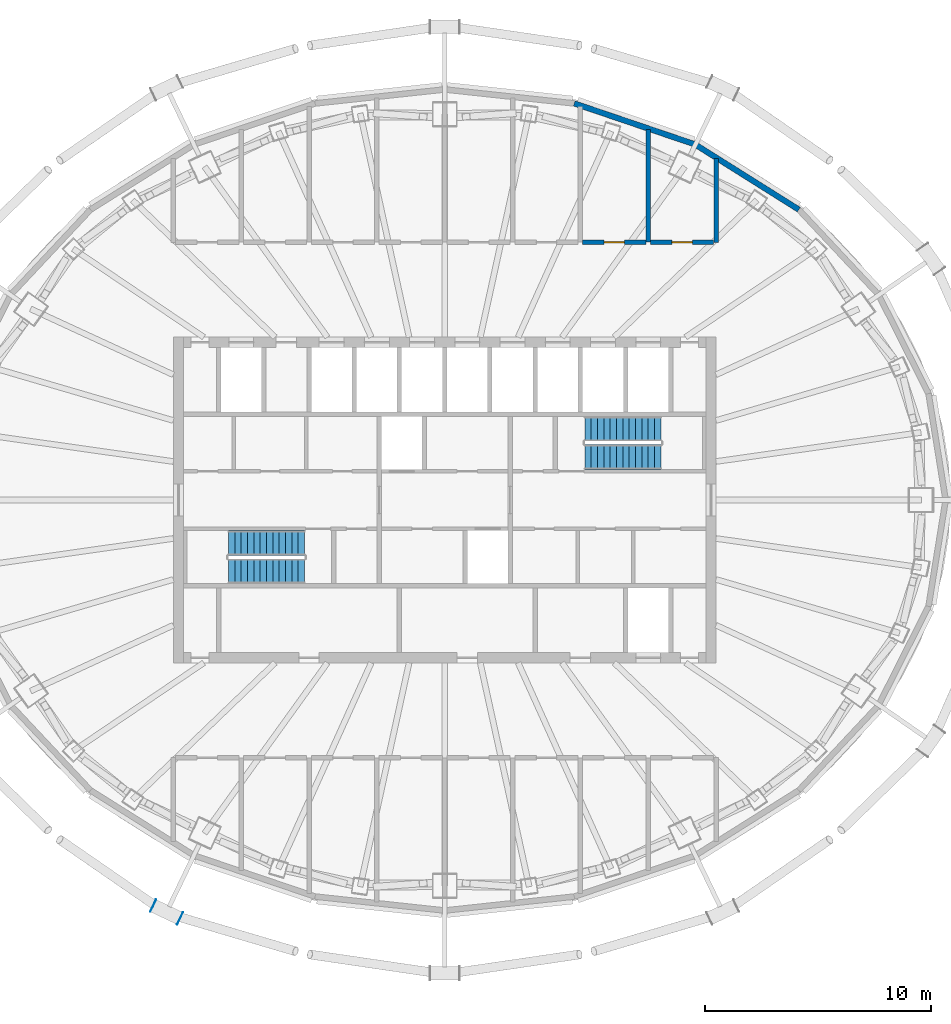
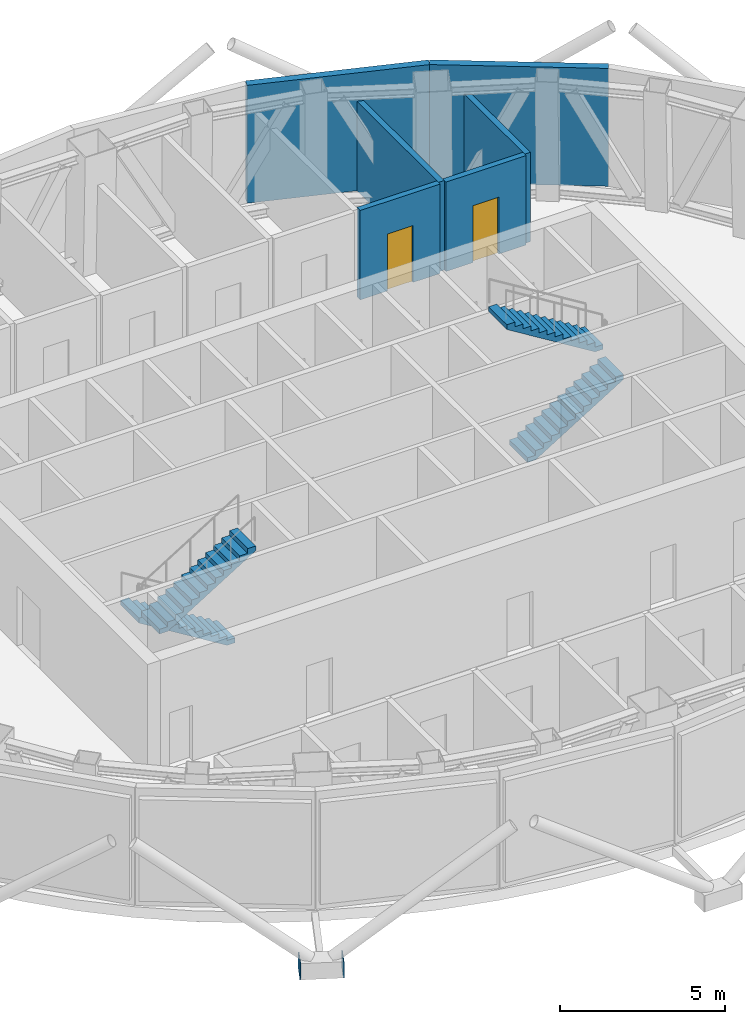
# One storey, part 8 of 15: 6 walls, 4 stair flights, 2 discrete accessories, 2 doors, 2 openings, 2 elements without a shape of their own.
"""IFC4 building model written with IfcOpenShell, lengths in metres."""

from ifc_helpers import new_model, si_unit, direction, frame, frame_2d, origin, origin_2d, place, context, subcontext, project, spatial, polyline, rectangle, outline, extrude, material, layer, layer_set, type_object, element, fill, aggregate, save


model = new_model("IFC4")

# Units and contexts
model_context = context("Model", 3, precision=1e-05, world=origin(), true_north=direction((0.0, 1.0)))
body_context = subcontext(model_context, "Body", "Model", "MODEL_VIEW")
ifc_project = project(units=[si_unit("LENGTHUNIT", "METRE"), si_unit("AREAUNIT", "SQUARE_METRE"), si_unit("VOLUMEUNIT", "CUBIC_METRE"), si_unit("PLANEANGLEUNIT", "RADIAN"), si_unit("MASSUNIT", "GRAM", prefix="KILO")], contexts=[model_context])

# Site, building, storey
site_placement = place(None, origin())
site = spatial("IfcSite", under=ifc_project, at=site_placement, CompositionType="ELEMENT")
building_placement = place(site_placement, origin())
building = spatial("IfcBuilding", under=site, at=building_placement, Name="Siaravel Broadcast Tower", CompositionType="ELEMENT")
storey_placement = place(building_placement, frame((0.0, 0.0, 212.60009765625)))
storey = spatial("IfcBuildingStorey", under=building, at=storey_placement, Name="L51", CompositionType="ELEMENT", Elevation=212.60009765625)

# Walls
ifc_material_1 = material(Name="Concrete blockwork", Category="masonry")
ifc_layer_1 = layer(ifc_material_1, 0.199951171875)
ifc_layer_set_1 = layer_set([ifc_layer_1], Name="Concrete blockwork")
wall_type_1 = type_object("IfcWallType", Name="Plant room wall 200", PredefinedType="PARTITIONING", material=ifc_layer_set_1)
wall_1_placement = place(storey_placement, frame((9.0, 11.39990234375, 0.0), z_axis=(0.0, 0.0, 1.0), x_axis=(0.0, 1.0, 0.0)))
element("IfcWall", 1, at=wall_1_placement, inside=storey, type_object=wall_type_1, Name="L51 partition 14", PredefinedType="PARTITIONING", context=body_context, shape_type="SweptSolid", body=[
    extrude(rectangle(XDim=4.980712890625, YDim=0.199951171875, at=frame_2d((2.490234375, 0.0))), origin(), (0.0, 0.0, 1.0), 3.2998046875),
])
wall_2_placement = place(storey_placement, frame((12.0, 11.387939453125, 0.0), z_axis=(0.0, 0.0, 1.0), x_axis=(0.0, 1.0, 0.0)))
element("IfcWall", 2, at=wall_2_placement, inside=storey, type_object=wall_type_1, Name="L51 partition 18", PredefinedType="PARTITIONING", context=body_context, shape_type="SweptSolid", body=[
    extrude(rectangle(XDim=3.70703125, YDim=0.199951171875, at=frame_2d((1.853515625, 0.0))), origin(), (0.0, 0.0, 1.0), 3.2998046875),
])

# Wall, opening, door
wall_3_placement = place(storey_placement, frame((8.89794921875, 11.39990234375, 0.0), z_axis=(0.0, 0.0, 1.0), x_axis=(-1.0, 0.0, 0.0)))
wall_3 = element("IfcWall", 3, at=wall_3_placement, inside=storey, type_object=wall_type_1, Name="L51 partition 33", PredefinedType="PARTITIONING", context=body_context, shape_type="SweptSolid", body=[
    extrude(rectangle(XDim=2.7958984375, YDim=0.199951171875, at=frame_2d((1.39794921875, 0.0))), origin(), (0.0, 0.0, 1.0), 3.2998046875),
])
opening_1_placement = place(wall_3_placement, frame((0.947998046875, 0.0, 0.0)))
opening_1 = element("IfcOpeningElement", 4, at=opening_1_placement, cuts=wall_3, Name="Opening L51-007", PredefinedType="OPENING", context=body_context, shape_type="SweptSolid", body=[
    extrude(rectangle(XDim=0.89990234375, YDim=2.10009765625, at=frame_2d((0.449951171875, 1.050048828125))), frame((0.0, 0.10986328125, 0.0), z_axis=(0.0, -1.0, 0.0), x_axis=(1.0, 0.0, 0.0)), (0.0, 0.0, 1.0), 0.219970703125),
])
ifc_material_2 = material(Name="Steel", Category="steel")
door_type = type_object("IfcDoorType", Name="Plant room door 900", OperationType="SINGLE_SWING_LEFT", PredefinedType="DOOR", material=ifc_material_2)
door_1_placement = place(opening_1_placement, origin())
door_1 = element("IfcDoor", 5, at=door_1_placement, inside=storey, type_object=door_type, Name="L51 door to Electrical plant room", OperationType="SINGLE_SWING_LEFT", OverallHeight=2.10009765625, OverallWidth=0.89990234375, PredefinedType="DOOR", context=body_context, shape_type="SweptSolid", body=[
    extrude(rectangle(XDim=0.89990234375, YDim=2.10009765625, at=frame_2d((0.449951171875, 1.050048828125))), frame((0.0, 0.02490234375, 0.0), z_axis=(0.0, -1.0, 0.0), x_axis=(1.0, 0.0, 0.0)), (0.0, 0.0, 1.0), 0.050048828125),
])
fill(opening_1, door_1)

wall_4_placement = place(storey_placement, frame((11.89794921875, 11.39990234375, 0.0), z_axis=(0.0, 0.0, 1.0), x_axis=(-1.0, 0.0, 0.0)))
wall_4 = element("IfcWall", 6, at=wall_4_placement, inside=storey, type_object=wall_type_1, Name="L51 partition 34", PredefinedType="PARTITIONING", context=body_context, shape_type="SweptSolid", body=[
    extrude(rectangle(XDim=2.7958984375, YDim=0.199951171875, at=frame_2d((1.39794921875, 0.0))), origin(), (0.0, 0.0, 1.0), 3.2998046875),
])
opening_2_placement = place(wall_4_placement, frame((0.947998046875, 0.0, 0.0)))
opening_2 = element("IfcOpeningElement", 7, at=opening_2_placement, cuts=wall_4, Name="Opening L51-008", PredefinedType="OPENING", context=body_context, shape_type="SweptSolid", body=[
    extrude(rectangle(XDim=0.89990234375, YDim=2.10009765625, at=frame_2d((0.449951171875, 1.050048828125))), frame((0.0, 0.10986328125, 0.0), z_axis=(0.0, -1.0, 0.0), x_axis=(1.0, 0.0, 0.0)), (0.0, 0.0, 1.0), 0.219970703125),
])
door_2_placement = place(opening_2_placement, origin())
door_2 = element("IfcDoor", 8, at=door_2_placement, inside=storey, type_object=door_type, Name="L51 door to Boiler plant room", OperationType="SINGLE_SWING_RIGHT", OverallHeight=2.10009765625, OverallWidth=0.89990234375, PredefinedType="DOOR", context=body_context, shape_type="SweptSolid", body=[
    extrude(rectangle(XDim=0.89990234375, YDim=2.10009765625, at=frame_2d((0.449951171875, 1.050048828125))), frame((0.0, 0.02490234375, 0.0), z_axis=(0.0, -1.0, 0.0), x_axis=(1.0, 0.0, 0.0)), (0.0, 0.0, 1.0), 0.050048828125),
])
fill(opening_2, door_2)

# Walls
ifc_material_3 = material(Name="Concrete C40/50", Category="concrete")
ifc_layer_2 = layer(ifc_material_3, 0.25)
ifc_layer_set_2 = layer_set([ifc_layer_2], Name="Concrete C40/50")
wall_type_2 = type_object("IfcWallType", Name="Plant storey wall", PredefinedType="STANDARD", material=ifc_layer_set_2)
wall_5_placement = place(storey_placement, frame((15.6630859375, 12.842529296875, 0.0), z_axis=(0.0, 0.0, 1.0), x_axis=(-0.846636549, 0.532171545, 0.0)))
element("IfcWall", 9, at=wall_5_placement, inside=storey, type_object=wall_type_2, Name="L51 plant storey wall 04", PredefinedType="STANDARD", context=body_context, shape_type="SweptSolid", body=[
    extrude(rectangle(XDim=5.419921875, YDim=0.25, at=frame_2d((2.7099609375, 0.0))), origin(), (0.0, 0.0, 1.0), 4.349853515625),
])
wall_6_placement = place(storey_placement, frame((11.074462890625, 15.726806640625, 0.0), z_axis=(0.0, 0.0, 1.0), x_axis=(-0.946981992, 0.321286642, 0.0)))
element("IfcWall", 10, at=wall_6_placement, inside=storey, type_object=wall_type_2, Name="L51 plant storey wall 05", PredefinedType="STANDARD", context=body_context, shape_type="SweptSolid", body=[
    extrude(rectangle(XDim=5.641357421875, YDim=0.25, at=frame_2d((2.82080078125, 0.0))), origin(), (0.0, 0.0, 1.0), 4.349853515625),
])

# Stair, stair flights
stair_type = type_object("IfcStairType", Name="Core exit stair", PredefinedType="HALF_TURN_STAIR", material=ifc_material_3)
stair_1_placement = place(storey_placement, origin())
stair_1 = element("IfcStair", 11, at=stair_1_placement, inside=storey, type_object=stair_type, Name="L51 Exit stair ST-1", PredefinedType="HALF_TURN_STAIR")
stair_flight_type = type_object("IfcStairFlightType", Name="Stair flight 1100", PredefinedType="STRAIGHT", material=ifc_material_3)
stair_flight_1_placement = place(storey_placement, frame((-6.199951171875, -1.89990234375, 0.0), z_axis=(0.0, 0.0, 1.0), x_axis=(-1.0, 0.0, 0.0)))
stair_flight_1 = element("IfcStairFlight", 12, at=stair_flight_1_placement, type_object=stair_flight_type, Name="ST-1 flight 1", NumberOfRisers=13, NumberOfTreads=12, PredefinedType="STRAIGHT", RiserHeight=0.1730769, TreadLength=0.28, context=body_context, shape_type="SweptSolid", body=[
    extrude(outline(polyline([(0.0, 0.0), (0.0, 0.173095703125), (0.280029296875, 0.173095703125), (0.280029296875, 0.34619140625), (0.56005859375, 0.34619140625), (0.56005859375, 0.519287109375), (0.840087890625, 0.519287109375), (0.840087890625, 0.6923828125), (1.1201171875, 0.6923828125), (1.1201171875, 0.865478515625), (1.39990234375, 0.865478515625), (1.39990234375, 1.03857421875), (1.679931640625, 1.03857421875), (1.679931640625, 1.21142578125), (1.9599609375, 1.21142578125), (1.9599609375, 1.384521484375), (2.239990234375, 1.384521484375), (2.239990234375, 1.5576171875), (2.52001953125, 1.5576171875), (2.52001953125, 1.730712890625), (2.800048828125, 1.730712890625), (2.800048828125, 1.90380859375), (3.080078125, 1.90380859375), (3.080078125, 2.076904296875), (3.360107421875, 2.076904296875), (3.360107421875, 2.25), (3.360107421875, 1.900634765625), (0.28515625, 0.0), (0.0, 0.0)])), frame((0.0, 0.550048828125, 0.0), z_axis=(0.0, -1.0, 0.0), x_axis=(1.0, 0.0, 0.0)), (0.0, 0.0, 1.0), 1.10009765625),
])
stair_flight_2_placement = place(storey_placement, frame((-9.56005859375, -3.14990234375, 2.25), z_axis=(0.0, 0.0, 1.0), x_axis=(1.0, 0.0, 0.0)))
stair_flight_2 = element("IfcStairFlight", 13, at=stair_flight_2_placement, type_object=stair_flight_type, Name="ST-1 flight 2", NumberOfRisers=13, NumberOfTreads=12, PredefinedType="STRAIGHT", RiserHeight=0.1730769, TreadLength=0.28, context=body_context, shape_type="SweptSolid", body=[
    extrude(outline(polyline([(0.0, 0.0), (0.0, 0.173095703125), (0.280029296875, 0.173095703125), (0.280029296875, 0.34619140625), (0.56005859375, 0.34619140625), (0.56005859375, 0.519287109375), (0.840087890625, 0.519287109375), (0.840087890625, 0.6923828125), (1.1201171875, 0.6923828125), (1.1201171875, 0.865478515625), (1.39990234375, 0.865478515625), (1.39990234375, 1.03857421875), (1.679931640625, 1.03857421875), (1.679931640625, 1.21142578125), (1.9599609375, 1.21142578125), (1.9599609375, 1.384521484375), (2.239990234375, 1.384521484375), (2.239990234375, 1.5576171875), (2.52001953125, 1.5576171875), (2.52001953125, 1.730712890625), (2.800048828125, 1.730712890625), (2.800048828125, 1.90380859375), (3.080078125, 1.90380859375), (3.080078125, 2.076904296875), (3.360107421875, 2.076904296875), (3.360107421875, 2.25), (3.360107421875, 1.900634765625), (0.28515625, 0.0), (0.0, 0.0)])), frame((0.0, 0.550048828125, 0.0), z_axis=(0.0, -1.0, 0.0), x_axis=(1.0, 0.0, 0.0)), (0.0, 0.0, 1.0), 1.10009765625),
])
aggregate(stair_1, [stair_flight_1, stair_flight_2])

stair_2_placement = place(storey_placement, origin())
stair_2 = element("IfcStair", 14, at=stair_2_placement, inside=storey, type_object=stair_type, Name="L51 Exit stair ST-2", PredefinedType="HALF_TURN_STAIR")
stair_flight_3_placement = place(storey_placement, frame((6.199951171875, 1.89990234375, 0.0), z_axis=(0.0, 0.0, 1.0), x_axis=(1.0, 0.0, 0.0)))
stair_flight_3 = element("IfcStairFlight", 15, at=stair_flight_3_placement, type_object=stair_flight_type, Name="ST-2 flight 1", NumberOfRisers=13, NumberOfTreads=12, PredefinedType="STRAIGHT", RiserHeight=0.1730769, TreadLength=0.28, context=body_context, shape_type="SweptSolid", body=[
    extrude(outline(polyline([(0.0, 0.0), (0.0, 0.173095703125), (0.280029296875, 0.173095703125), (0.280029296875, 0.34619140625), (0.56005859375, 0.34619140625), (0.56005859375, 0.519287109375), (0.840087890625, 0.519287109375), (0.840087890625, 0.6923828125), (1.1201171875, 0.6923828125), (1.1201171875, 0.865478515625), (1.39990234375, 0.865478515625), (1.39990234375, 1.03857421875), (1.679931640625, 1.03857421875), (1.679931640625, 1.21142578125), (1.9599609375, 1.21142578125), (1.9599609375, 1.384521484375), (2.239990234375, 1.384521484375), (2.239990234375, 1.5576171875), (2.52001953125, 1.5576171875), (2.52001953125, 1.730712890625), (2.800048828125, 1.730712890625), (2.800048828125, 1.90380859375), (3.080078125, 1.90380859375), (3.080078125, 2.076904296875), (3.360107421875, 2.076904296875), (3.360107421875, 2.25), (3.360107421875, 1.900634765625), (0.28515625, 0.0), (0.0, 0.0)])), frame((0.0, 0.550048828125, 0.0), z_axis=(0.0, -1.0, 0.0), x_axis=(1.0, 0.0, 0.0)), (0.0, 0.0, 1.0), 1.10009765625),
])
stair_flight_4_placement = place(storey_placement, frame((9.56005859375, 3.14990234375, 2.25), z_axis=(0.0, 0.0, 1.0), x_axis=(-1.0, 0.0, 0.0)))
stair_flight_4 = element("IfcStairFlight", 16, at=stair_flight_4_placement, type_object=stair_flight_type, Name="ST-2 flight 2", NumberOfRisers=13, NumberOfTreads=12, PredefinedType="STRAIGHT", RiserHeight=0.1730769, TreadLength=0.28, context=body_context, shape_type="SweptSolid", body=[
    extrude(outline(polyline([(0.0, 0.0), (0.0, 0.173095703125), (0.280029296875, 0.173095703125), (0.280029296875, 0.34619140625), (0.56005859375, 0.34619140625), (0.56005859375, 0.519287109375), (0.840087890625, 0.519287109375), (0.840087890625, 0.6923828125), (1.1201171875, 0.6923828125), (1.1201171875, 0.865478515625), (1.39990234375, 0.865478515625), (1.39990234375, 1.03857421875), (1.679931640625, 1.03857421875), (1.679931640625, 1.21142578125), (1.9599609375, 1.21142578125), (1.9599609375, 1.384521484375), (2.239990234375, 1.384521484375), (2.239990234375, 1.5576171875), (2.52001953125, 1.5576171875), (2.52001953125, 1.730712890625), (2.800048828125, 1.730712890625), (2.800048828125, 1.90380859375), (3.080078125, 1.90380859375), (3.080078125, 2.076904296875), (3.360107421875, 2.076904296875), (3.360107421875, 2.25), (3.360107421875, 1.900634765625), (0.28515625, 0.0), (0.0, 0.0)])), frame((0.0, 0.550048828125, 0.0), z_axis=(0.0, -1.0, 0.0), x_axis=(1.0, 0.0, 0.0)), (0.0, 0.0, 1.0), 1.10009765625),
])
aggregate(stair_2, [stair_flight_3, stair_flight_4])

# Discrete accessories
ifc_material_4 = material(Name="Steel S355", Category="steel")
ifc_layer_3 = layer(ifc_material_4, 0.02001953125)
ifc_layer_set_3 = layer_set([ifc_layer_3], Name="Steel S355")
discrete_accessory_type = type_object("IfcDiscreteAccessoryType", Name="Steel end plate 20 mm", PredefinedType="USERDEFINED", material=ifc_layer_set_3)
for number, where, z_axis, x_axis, name in (
    (17, (-11.705810546875, -18.504150390625, -0.500244140625), (0.0, 0.0, 1.0), (0.904006456, -0.427518805, 0.0), "End plate R21 station 48A"),
    (18, (-12.893310546875, -17.942626953125, -0.500244140625), (0.0, 0.0, 1.0), (0.904006456, -0.427518805, 0.0), "End plate R21 station 48B"),
):
    element("IfcDiscreteAccessory", number, at=place(storey_placement, frame(where, z_axis=z_axis, x_axis=x_axis)), inside=storey, type_object=discrete_accessory_type, Name=name, ObjectType="END PLATE", PredefinedType="USERDEFINED", context=body_context, shape_type="SweptSolid", body=[
        extrude(rectangle(XDim=0.02001953125, YDim=0.60009765625, at=origin_2d()), origin(), (0.0, 0.0, 1.0), 0.60009765625),
    ])

save(model, "model.ifc")
